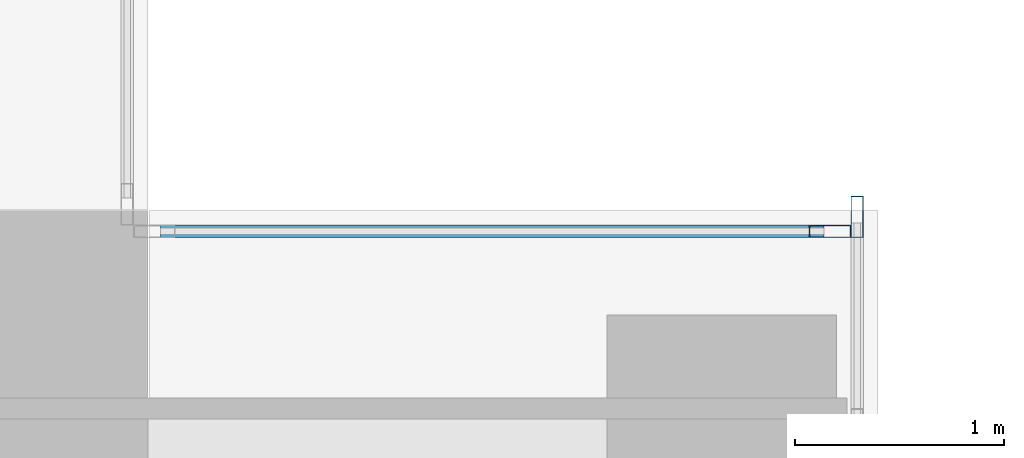
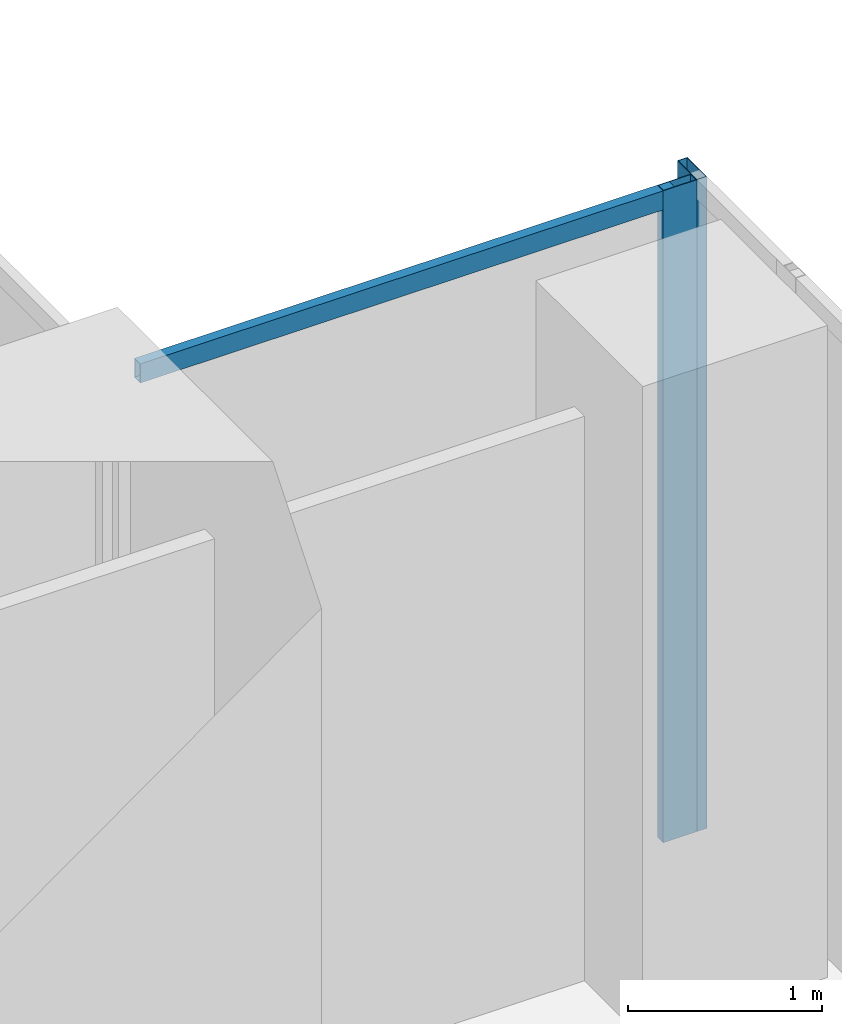
# One storey, part 21 of 34: 3 members, 2 elements without a shape of their own.
"""IFC4 building model written with IfcOpenShell, lengths in metres."""

from ifc_helpers import new_model, si_unit, direction, frame, origin, origin_2d, place, context, subcontext, project, spatial, hollow_rectangle, extrude, source, transform, mapped, material, material_profile, profile_set, type_object, element, aggregate, save


model = new_model("IFC4")

# Units and contexts
model_context = context("Model", 3, precision=1e-05, world=origin(), true_north=direction((0.0, 1.0)))
body_context = subcontext(model_context, "Body", "Model", "MODEL_VIEW")
ifc_project = project(units=[si_unit("LENGTHUNIT", "METRE"), si_unit("AREAUNIT", "SQUARE_METRE"), si_unit("VOLUMEUNIT", "CUBIC_METRE"), si_unit("PLANEANGLEUNIT", "RADIAN"), si_unit("MASSUNIT", "GRAM", prefix="KILO")], contexts=[model_context])

# Site, building, storey
site_placement = place(None, origin())
site = spatial("IfcSite", under=ifc_project, at=site_placement, CompositionType="ELEMENT")
building_placement = place(site_placement, origin())
building = spatial("IfcBuilding", under=site, at=building_placement, Name="Khomas Fold Tower", CompositionType="ELEMENT")
storey_placement = place(building_placement, frame((0.0, 0.0, 110.300048828125)))
storey = spatial("IfcBuildingStorey", under=building, at=storey_placement, Name="L23", CompositionType="ELEMENT", Elevation=110.300048828125)

# Curtain wall, member
ifc_material_1 = material(Name="Aluminium framed double glazing", Category="aluminium")
curtain_wall_type = type_object("IfcCurtainWallType", Name="SK-Unitised clear-glass wall, growing floors CW1", PredefinedType="NOTDEFINED", material=ifc_material_1)
curtain_wall_1_placement = place(storey_placement, origin())
curtain_wall_1 = element("IfcCurtainWall", 1, at=curtain_wall_1_placement, inside=storey, type_object=curtain_wall_type, Name="CW1 corner return L23 04", PredefinedType="NOTDEFINED")
ifc_material_2 = material(Name="Aluminium", Category="aluminium")
ifc_material_profile_1 = material_profile(ifc_material_2, hollow_rectangle(XDim=0.06005859375, YDim=0.1201171875, WallThickness=0.00390625, at=origin_2d()), Name="SK-Unitised clear-glass wall, growing floors transom CW1-T")
ifc_profile_set_1 = profile_set([ifc_material_profile_1], Name="Aluminium")
member_type_1 = type_object("IfcMemberType", Name="SK-Unitised clear-glass wall, growing floors transom CW1-T", PredefinedType="USERDEFINED", material=ifc_profile_set_1)
shared_shape_1 = source(origin(), body_context, "Body", "SweptSolid", [
    extrude(hollow_rectangle(XDim=0.06005859375, YDim=0.1201171875, WallThickness=0.00390625, at=origin_2d()), origin(), (0.0, 0.0, 1.0), 3.179931640625),
])
member_1_placement = place(storey_placement, frame((52.239990234375, 48.89990234375, 4.0400390625), z_axis=(-1.0, 0.0, 0.0), x_axis=(0.0, -1.0, 0.0)))
member_1 = element("IfcMember", 2, at=member_1_placement, type_object=member_type_1, Name="CW1 transom 1", ObjectType="TRANSOM", PredefinedType="USERDEFINED", context=body_context, shape_type="MappedRepresentation", body=[
    mapped(shared_shape_1, transform((0.0, 0.0, 0.0))),
])

curtain_wall_2_placement = place(storey_placement, origin())
curtain_wall_2 = element("IfcCurtainWall", 3, at=curtain_wall_2_placement, inside=storey, type_object=curtain_wall_type, Name="CW1 run L23 03-1", PredefinedType="NOTDEFINED")
ifc_material_3 = material(Name="Aluminium", Category="aluminium")
ifc_material_profile_2 = material_profile(ifc_material_3, hollow_rectangle(XDim=0.06005859375, YDim=0.199951171875, WallThickness=0.00390625, at=origin_2d()), Name="SK-Unitised clear-glass wall, growing floors mullion CW1-M")
ifc_profile_set_2 = profile_set([ifc_material_profile_2], Name="Aluminium")
member_type_2 = type_object("IfcMemberType", Name="SK-Unitised clear-glass wall, growing floors mullion CW1-M", PredefinedType="MULLION", material=ifc_profile_set_2)
shared_shape_2 = source(origin(), body_context, "Body", "SweptSolid", [
    extrude(hollow_rectangle(XDim=0.06005859375, YDim=0.199951171875, WallThickness=0.00390625, at=origin_2d()), origin(), (0.0, 0.0, 1.0), 4.099853515625),
])
member_2_placement = place(storey_placement, frame((52.39990234375, 48.969970703125, 0.0), z_axis=(0.0, 0.0, 1.0), x_axis=(-1.0, 0.0, 0.0)))
member_2 = element("IfcMember", 4, at=member_2_placement, type_object=member_type_2, Name="CW1 mullion 6", PredefinedType="MULLION", context=body_context, shape_type="MappedRepresentation", body=[
    mapped(shared_shape_2, transform((0.0, 0.0, 0.0))),
])
aggregate(curtain_wall_2, [member_2])

# Member
member_3_placement = place(storey_placement, frame((52.27001953125, 48.89990234375, 0.0), z_axis=(0.0, 0.0, 1.0), x_axis=(0.0, -1.0, 0.0)))
member_3 = element("IfcMember", 5, at=member_3_placement, type_object=member_type_2, Name="CW1 mullion 1", PredefinedType="MULLION", context=body_context, shape_type="MappedRepresentation", body=[
    mapped(shared_shape_2, transform((0.0, 0.0, 0.0))),
])

aggregate(curtain_wall_1, [member_3, member_1])

save(model, "model.ifc")
